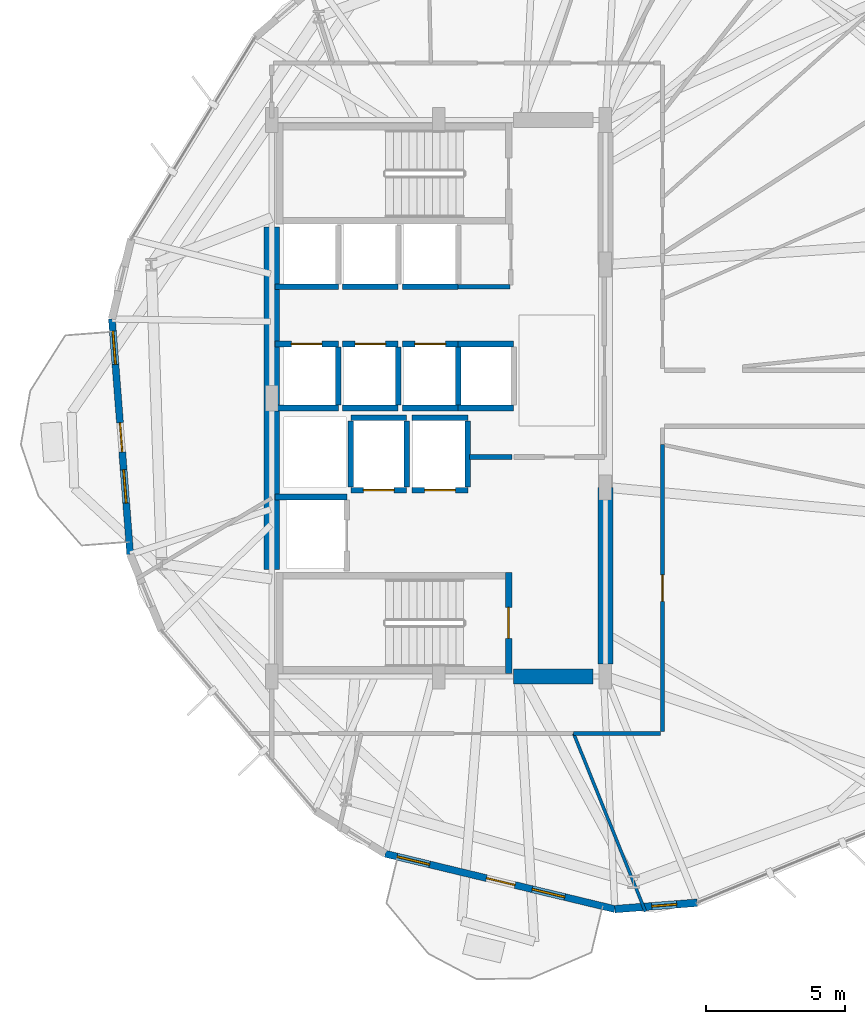
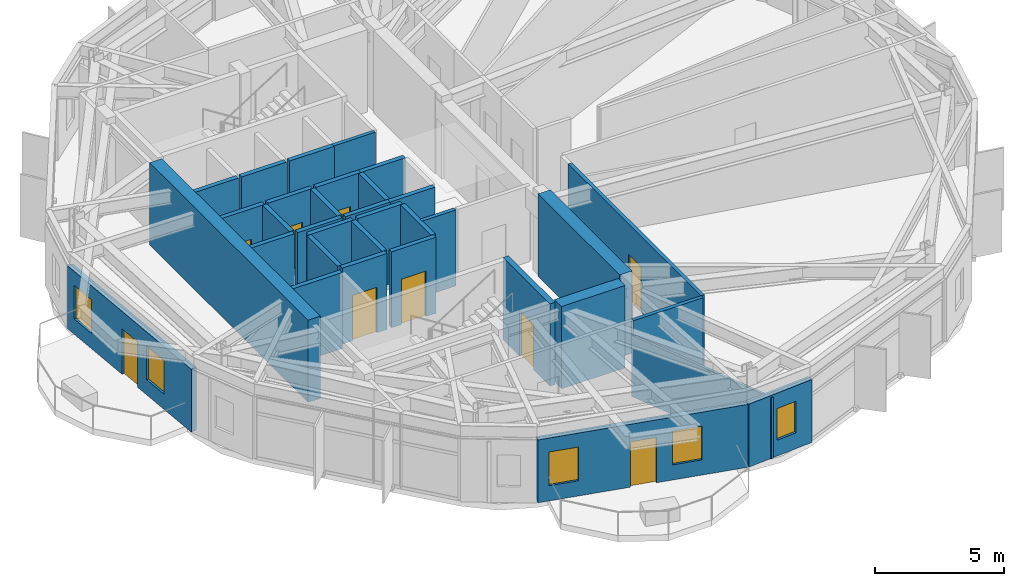
# One storey, part 16 of 21: 34 walls, 9 doors, 5 windows, 14 openings.
"""IFC4 building model written with IfcOpenShell, lengths in metres."""

import ifcopenshell
import ifcopenshell.guid

model = None  # the IFC model being written
_history = None  # IfcOwnerHistory: only IFC2X3 demands one
_inside = {}  # id of a spatial element -> (the spatial element, [elements in it])
_under = {}  # id of a project, library or spatial element -> (it, [spatial elements below it])
_declared = {}  # id of a project -> (the project, [libraries it declares])
_typed = {}  # id of a type object -> (the type object, [elements of that type])
_made_of = {}  # id of a material, layer set ... -> (it, [elements and type objects made of it])


def new_model(schema):
    """Start an empty IFC model of exactly this schema.

    Asked for "IFC4X3", IfcOpenShell would pick the latest addendum, in which some entities
    have other attributes; the version numbers below select the first issue.
    IFC2X3 requires an IfcOwnerHistory on every rooted entity: one is made here for all.
    """
    global model, _history
    if schema == "IFC4X3":
        model = ifcopenshell.file(schema_version=(4, 3, 0, 0))
    else:
        model = ifcopenshell.file(schema=schema)
    _inside.clear()
    _under.clear()
    _declared.clear()
    _typed.clear()
    _made_of.clear()
    _history = None
    if model.schema == "IFC2X3":
        org = make("IfcOrganization", Name="unknown")
        user = make(
            "IfcPersonAndOrganization",
            ThePerson=make("IfcPerson", FamilyName="unknown"),
            TheOrganization=org,
        )
        app = make(
            "IfcApplication",
            ApplicationDeveloper=org,
            Version="unknown",
            ApplicationFullName="unknown",
            ApplicationIdentifier="unknown",
        )
        _history = make(
            "IfcOwnerHistory",
            OwningUser=user,
            OwningApplication=app,
            ChangeAction="ADDED",
            CreationDate=0,
        )
    return model


def make(cls, **values):
    """One entity of the class cls with the attributes given. An attribute that is None is left unset."""
    return model.create_entity(
        cls, **{name: value for name, value in values.items() if value is not None}
    )


def rooted(cls, **values):
    """An entity with a GlobalId (a new one), such as an element, a storey or a relation."""
    return make(cls, GlobalId=ifcopenshell.guid.new(), OwnerHistory=_history, **values)


def si_unit(unit_type, name, prefix=None):
    """IfcSIUnit, for example si_unit("LENGTHUNIT", "METRE", prefix="MILLI")."""
    return make("IfcSIUnit", UnitType=unit_type, Prefix=prefix, Name=name)


def assignment(units):
    """IfcUnitAssignment: the units of a project."""
    return None if units is None else make("IfcUnitAssignment", Units=units)


def point(xyz):
    """IfcCartesianPoint."""
    return None if xyz is None else make("IfcCartesianPoint", Coordinates=xyz)


def direction(xyz):
    """IfcDirection."""
    return None if xyz is None else make("IfcDirection", DirectionRatios=xyz)


def frame(location, z_axis=None, x_axis=None):
    """IfcAxis2Placement3D, a coordinate frame: its origin and axes. An axis left out is left unset."""
    return make(
        "IfcAxis2Placement3D",
        Location=point(location),
        Axis=direction(z_axis),
        RefDirection=direction(x_axis),
    )


def frame_2d(location, x_axis=None):
    """IfcAxis2Placement2D, a coordinate frame in the plane: its origin and x axis."""
    return make(
        "IfcAxis2Placement2D", Location=point(location), RefDirection=direction(x_axis)
    )


def origin():
    """The frame at (0, 0, 0) with its axes left unset."""
    return frame((0.0, 0.0, 0.0))


def place(relative_to, where):
    """IfcLocalPlacement: puts the frame where relative to a parent placement (None: the world)."""
    return make(
        "IfcLocalPlacement", PlacementRelTo=relative_to, RelativePlacement=where
    )


def context(
    kind, dimensions, precision=None, world=None, true_north=None, identifier=None
):
    """IfcGeometricRepresentationContext, for example the 3D "Model" context."""
    return make(
        "IfcGeometricRepresentationContext",
        ContextIdentifier=identifier,
        ContextType=kind,
        CoordinateSpaceDimension=dimensions,
        Precision=precision,
        WorldCoordinateSystem=world,
        TrueNorth=true_north,
    )


def subcontext(parent, identifier, kind, view, scale=None):
    """IfcGeometricRepresentationSubContext, for example "Body" below "Model"."""
    return make(
        "IfcGeometricRepresentationSubContext",
        ContextIdentifier=identifier,
        ContextType=kind,
        ParentContext=parent,
        TargetScale=scale,
        TargetView=view,
    )


def project(units=None, contexts=None):
    """IfcProject with its units and contexts."""
    return rooted(
        "IfcProject",
        Name="project",
        RepresentationContexts=contexts,
        UnitsInContext=assignment(units),
    )


def spatial(cls, under=None, at=None, **own):
    """A site, building, storey or space (cls), placed at a placement, below another one or the project."""
    s = rooted(cls, ObjectPlacement=at, **own)
    if under is not None:
        _under.setdefault(under.id(), (under, []))[1].append(s)
    return s


def profile(cls, at=None, kind="AREA", **sizes):
    """A parametric profile (cls). Its sizes go by their IFC names, for example OverallWidth=200.0."""
    return make(cls, ProfileType=kind, Position=at, **sizes)


def rectangle(**sizes):
    """IfcRectangleProfileDef."""
    return profile("IfcRectangleProfileDef", **sizes)


def extrude(swept, where, along, depth):
    """IfcExtrudedAreaSolid: the profile swept, set in the frame where, extruded along a direction by depth."""
    return make(
        "IfcExtrudedAreaSolid",
        SweptArea=swept,
        Position=where,
        ExtrudedDirection=direction(along),
        Depth=depth,
    )


def shape(context_of_items, identifier, shape_type, items):
    """IfcShapeRepresentation: the items that make up one representation, for example the "Body"."""
    return make(
        "IfcShapeRepresentation",
        ContextOfItems=context_of_items,
        RepresentationIdentifier=identifier,
        RepresentationType=shape_type,
        Items=items,
    )


def material(Name=None, Category=None):
    """IfcMaterial."""
    return make("IfcMaterial", Name=Name, Category=Category)


def layer(
    of_material, thickness, ventilated=None, Name=None, Category=None, Priority=None
):
    """IfcMaterialLayer: one layer of a wall or slab, of a material (None: an air gap)."""
    return make(
        "IfcMaterialLayer",
        Material=of_material,
        LayerThickness=thickness,
        IsVentilated=ventilated,
        Name=Name,
        Category=Category,
        Priority=Priority,
    )


def layer_set(layers, Name=None):
    """IfcMaterialLayerSet."""
    return make("IfcMaterialLayerSet", MaterialLayers=layers, LayerSetName=Name)


def made_of(thing, what):
    """Note that an element or type object is made of a material, layer set ...; save() writes the relation."""
    if what is not None:
        _made_of.setdefault(what.id(), (what, []))[1].append(thing)
    return thing


def type_object(cls, material=None, **own):
    """A type object (cls), such as IfcWallType, which elements share."""
    return made_of(rooted(cls, **own), material)


def element(
    cls,
    number,
    at=None,
    inside=None,
    cuts=None,
    type_object=None,
    material=None,
    context=None,
    identifier="Body",
    shape_type=None,
    held_by="IfcProductDefinitionShape",
    body=None,
    shapes=None,
    **own,
):
    """One element of the class cls, such as IfcWall. Its Tag is "e" and its number.

    at: its placement. inside: the storey or other place that contains it. cuts: it is an
    opening in that element (IfcRelVoidsElement). A single representation is given by context,
    identifier, shape_type and body (its items); several are given by shapes. held_by: the class
    of the entity that holds the representations. save() writes the other relations.
    """
    e = rooted(cls, Tag="e%d" % number, ObjectPlacement=at, **own)
    if body is not None:
        shapes = [shape(context, identifier, shape_type, body)]
    if shapes is not None:
        e.Representation = make(held_by, Representations=shapes)
    if inside is not None:
        _inside.setdefault(inside.id(), (inside, []))[1].append(e)
    if cuts is not None:
        rooted(
            "IfcRelVoidsElement", RelatingBuildingElement=cuts, RelatedOpeningElement=e
        )
    if type_object is not None:
        _typed.setdefault(type_object.id(), (type_object, []))[1].append(e)
    return made_of(e, material)


def fill(opening, filler):
    """IfcRelFillsElement: the door or window that sits in an opening."""
    return rooted(
        "IfcRelFillsElement",
        RelatingOpeningElement=opening,
        RelatedBuildingElement=filler,
    )


def aggregate(whole, parts):
    """IfcRelAggregates: a whole, such as a stair, and the parts it consists of."""
    return rooted("IfcRelAggregates", RelatingObject=whole, RelatedObjects=parts)


def save(model, path):
    """Write the relations noted so far, then the file.

    IfcRelAggregates (storeys below a building ...), IfcRelContainedInSpatialStructure (elements
    in a storey), IfcRelDefinesByType, IfcRelAssociatesMaterial and IfcRelDeclares: one each for
    every whole, place, type object, material and project.
    """
    for whole, parts in _under.values():
        aggregate(whole, parts)
    for where, things in _inside.values():
        rooted(
            "IfcRelContainedInSpatialStructure",
            RelatedElements=things,
            RelatingStructure=where,
        )
    for kind, things in _typed.values():
        rooted("IfcRelDefinesByType", RelatedObjects=things, RelatingType=kind)
    for what, things in _made_of.values():
        rooted("IfcRelAssociatesMaterial", RelatedObjects=things, RelatingMaterial=what)
    for by, libraries in _declared.values():
        rooted("IfcRelDeclares", RelatingContext=by, RelatedDefinitions=libraries)
    model.write(path)


model = new_model("IFC4")

# Units and contexts
model_context = context("Model", 3, precision=1e-05, world=origin(), true_north=direction((0.0, 1.0)))
body_context = subcontext(model_context, "Body", "Model", "MODEL_VIEW")
ifc_project = project(units=[si_unit("LENGTHUNIT", "METRE"), si_unit("AREAUNIT", "SQUARE_METRE"), si_unit("VOLUMEUNIT", "CUBIC_METRE"), si_unit("PLANEANGLEUNIT", "RADIAN"), si_unit("MASSUNIT", "GRAM", prefix="KILO")], contexts=[model_context])

# Site, building, storey
site_placement = place(None, origin())
site = spatial("IfcSite", under=ifc_project, at=site_placement, CompositionType="ELEMENT")
building_placement = place(site_placement, origin())
building = spatial("IfcBuilding", under=site, at=building_placement, Name="Soratama Intermodal Tower", CompositionType="ELEMENT")
storey_placement = place(building_placement, frame((0.0, 0.0, 114.699951171875)))
storey = spatial("IfcBuildingStorey", under=building, at=storey_placement, Name="L27", CompositionType="ELEMENT", Elevation=114.699951171875)

# Wall, openings, door, windows
ifc_material_1 = material(Name="Concrete f'c 42 MPa", Category="concrete")
ifc_layer_1 = layer(ifc_material_1, 0.25)
ifc_layer_set_1 = layer_set([ifc_layer_1], Name="Concrete f'c 42 MPa")
wall_type_1 = type_object("IfcWallType", Name="EW-BAL-250", PredefinedType="SOLIDWALL", material=ifc_layer_set_1)
wall_1_placement = place(storey_placement, frame((26.85888671875, 27.849609375, 0.0), z_axis=(0.0, 0.0, 1.0), x_axis=(0.077404492849, -0.996999771558, 0.0)))
wall_1 = element("IfcWall", 1, at=wall_1_placement, inside=storey, type_object=wall_type_1, Name="L27 Terrace Wall F05", PredefinedType="SOLIDWALL", context=body_context, shape_type="SweptSolid", body=[
    extrude(rectangle(XDim=8.49072265625, YDim=0.25, at=frame_2d((4.245361328125, 0.0))), origin(), (0.0, 0.0, 1.0), 2.97900390625),
])
opening_1_placement = place(wall_1_placement, frame((3.745361328125, 0.0, 0.0)))
opening_1 = element("IfcOpeningElement", 2, at=opening_1_placement, cuts=wall_1, Name="Opening ED-5", PredefinedType="OPENING", context=body_context, shape_type="SweptSolid", body=[
    extrude(rectangle(XDim=1.050048828125, YDim=2.14990234375, at=frame_2d((0.52490234375, 1.074951171875))), frame((0.0, 0.135009765625, 0.0), z_axis=(0.0, -1.0, 0.0), x_axis=(1.0, 0.0, 0.0)), (0.0, 0.0, 1.0), 0.27001953125),
])
opening_2_placement = place(wall_1_placement, frame((0.43994140625, 0.0, 0.719970703125)))
opening_2 = element("IfcOpeningElement", 3, at=opening_2_placement, cuts=wall_1, Name="Opening WN-2", PredefinedType="OPENING", context=body_context, shape_type="SweptSolid", body=[
    extrude(rectangle(XDim=1.199951171875, YDim=1.60009765625, at=frame_2d((0.60009765625, 0.800048828125))), frame((0.0, 0.135009765625, 0.0), z_axis=(0.0, -1.0, 0.0), x_axis=(1.0, 0.0, 0.0)), (0.0, 0.0, 1.0), 0.27001953125),
])
opening_3_placement = place(wall_1_placement, frame((5.435302734375, 0.0, 0.719970703125)))
opening_3 = element("IfcOpeningElement", 4, at=opening_3_placement, cuts=wall_1, Name="Opening WN-2", PredefinedType="OPENING", context=body_context, shape_type="SweptSolid", body=[
    extrude(rectangle(XDim=1.199951171875, YDim=1.60009765625, at=frame_2d((0.60009765625, 0.800048828125))), frame((0.0, 0.135009765625, 0.0), z_axis=(0.0, -1.0, 0.0), x_axis=(1.0, 0.0, 0.0)), (0.0, 0.0, 1.0), 0.27001953125),
])
ifc_material_2 = material(Name="Double-glazed aluminium door", Category="aluminium")
door_type_1 = type_object("IfcDoorType", Name="DR-BAL-1050", OperationType="NOTDEFINED", PredefinedType="DOOR", material=ifc_material_2)
door_1_placement = place(opening_1_placement, origin())
door_1 = element("IfcDoor", 5, at=door_1_placement, inside=storey, type_object=door_type_1, Name="L27 Balcony Door F05", OperationType="SINGLE_SWING_LEFT", OverallHeight=2.14990234375, OverallWidth=1.050048828125, PredefinedType="DOOR", context=body_context, shape_type="SweptSolid", body=[
    extrude(rectangle(XDim=1.050048828125, YDim=2.14990234375, at=frame_2d((0.52490234375, 1.074951171875))), frame((0.0, 0.02490234375, 0.0), z_axis=(0.0, -1.0, 0.0), x_axis=(1.0, 0.0, 0.0)), (0.0, 0.0, 1.0), 0.050048828125),
])
fill(opening_1, door_1)
ifc_material_3 = material(Name="Double-glazed aluminium window", Category="aluminium")
window_type_1 = type_object("IfcWindowType", Name="WN-FAC-1200", PartitioningType="SINGLE_PANEL", PredefinedType="WINDOW", material=ifc_material_3)
window_1_placement = place(opening_2_placement, origin())
window_1 = element("IfcWindow", 6, at=window_1_placement, inside=storey, type_object=window_type_1, Name="L27 Window A F05", OverallHeight=1.60009765625, OverallWidth=1.199951171875, PartitioningType="SINGLE_PANEL", PredefinedType="WINDOW", context=body_context, shape_type="SweptSolid", body=[
    extrude(rectangle(XDim=1.199951171875, YDim=1.60009765625, at=frame_2d((0.60009765625, 0.800048828125))), frame((0.0, 0.030029296875, 0.0), z_axis=(0.0, -1.0, 0.0), x_axis=(1.0, 0.0, 0.0)), (0.0, 0.0, 1.0), 0.06005859375),
])
fill(opening_2, window_1)
window_2_placement = place(opening_3_placement, origin())
window_2 = element("IfcWindow", 7, at=window_2_placement, inside=storey, type_object=window_type_1, Name="L27 Window B F05", OverallHeight=1.60009765625, OverallWidth=1.199951171875, PartitioningType="SINGLE_PANEL", PredefinedType="WINDOW", context=body_context, shape_type="SweptSolid", body=[
    extrude(rectangle(XDim=1.199951171875, YDim=1.60009765625, at=frame_2d((0.60009765625, 0.800048828125))), frame((0.0, 0.030029296875, 0.0), z_axis=(0.0, -1.0, 0.0), x_axis=(1.0, 0.0, 0.0)), (0.0, 0.0, 1.0), 0.06005859375),
])
fill(opening_3, window_2)

wall_2_placement = place(storey_placement, frame((36.68408203125, 8.627197265625, 0.0), z_axis=(0.0, 0.0, 1.0), x_axis=(0.972125162173, -0.234462511014, 0.0)))
wall_2 = element("IfcWall", 8, at=wall_2_placement, inside=storey, type_object=wall_type_1, Name="L27 Terrace Wall F07", PredefinedType="SOLIDWALL", context=body_context, shape_type="SweptSolid", body=[
    extrude(rectangle(XDim=8.490478515625, YDim=0.25, at=frame_2d((4.2451171875, 0.0))), origin(), (0.0, 0.0, 1.0), 2.97900390625),
])
opening_4_placement = place(wall_2_placement, frame((3.745361328125, 0.0, 0.0)))
opening_4 = element("IfcOpeningElement", 9, at=opening_4_placement, cuts=wall_2, Name="Opening ED-5", PredefinedType="OPENING", context=body_context, shape_type="SweptSolid", body=[
    extrude(rectangle(XDim=1.050048828125, YDim=2.14990234375, at=frame_2d((0.52490234375, 1.074951171875))), frame((0.0, 0.135009765625, 0.0), z_axis=(0.0, -1.0, 0.0), x_axis=(1.0, 0.0, 0.0)), (0.0, 0.0, 1.0), 0.27001953125),
])
opening_5_placement = place(wall_2_placement, frame((0.43994140625, 0.0, 0.719970703125)))
opening_5 = element("IfcOpeningElement", 10, at=opening_5_placement, cuts=wall_2, Name="Opening WN-2", PredefinedType="OPENING", context=body_context, shape_type="SweptSolid", body=[
    extrude(rectangle(XDim=1.199951171875, YDim=1.60009765625, at=frame_2d((0.60009765625, 0.800048828125))), frame((0.0, 0.135009765625, 0.0), z_axis=(0.0, -1.0, 0.0), x_axis=(1.0, 0.0, 0.0)), (0.0, 0.0, 1.0), 0.27001953125),
])
opening_6_placement = place(wall_2_placement, frame((5.435302734375, 0.0, 0.719970703125)))
opening_6 = element("IfcOpeningElement", 11, at=opening_6_placement, cuts=wall_2, Name="Opening WN-2", PredefinedType="OPENING", context=body_context, shape_type="SweptSolid", body=[
    extrude(rectangle(XDim=1.199951171875, YDim=1.60009765625, at=frame_2d((0.60009765625, 0.800048828125))), frame((0.0, 0.135009765625, 0.0), z_axis=(0.0, -1.0, 0.0), x_axis=(1.0, 0.0, 0.0)), (0.0, 0.0, 1.0), 0.27001953125),
])
door_2_placement = place(opening_4_placement, origin())
door_2 = element("IfcDoor", 12, at=door_2_placement, inside=storey, type_object=door_type_1, Name="L27 Balcony Door F07", OperationType="SINGLE_SWING_LEFT", OverallHeight=2.14990234375, OverallWidth=1.050048828125, PredefinedType="DOOR", context=body_context, shape_type="SweptSolid", body=[
    extrude(rectangle(XDim=1.050048828125, YDim=2.14990234375, at=frame_2d((0.52490234375, 1.074951171875))), frame((0.0, 0.02490234375, 0.0), z_axis=(0.0, -1.0, 0.0), x_axis=(1.0, 0.0, 0.0)), (0.0, 0.0, 1.0), 0.050048828125),
])
fill(opening_4, door_2)
window_3_placement = place(opening_5_placement, origin())
window_3 = element("IfcWindow", 13, at=window_3_placement, inside=storey, type_object=window_type_1, Name="L27 Window A F07", OverallHeight=1.60009765625, OverallWidth=1.199951171875, PartitioningType="SINGLE_PANEL", PredefinedType="WINDOW", context=body_context, shape_type="SweptSolid", body=[
    extrude(rectangle(XDim=1.199951171875, YDim=1.60009765625, at=frame_2d((0.60009765625, 0.800048828125))), frame((0.0, 0.030029296875, 0.0), z_axis=(0.0, -1.0, 0.0), x_axis=(1.0, 0.0, 0.0)), (0.0, 0.0, 1.0), 0.06005859375),
])
fill(opening_5, window_3)
window_4_placement = place(opening_6_placement, origin())
window_4 = element("IfcWindow", 14, at=window_4_placement, inside=storey, type_object=window_type_1, Name="L27 Window B F07", OverallHeight=1.60009765625, OverallWidth=1.199951171875, PartitioningType="SINGLE_PANEL", PredefinedType="WINDOW", context=body_context, shape_type="SweptSolid", body=[
    extrude(rectangle(XDim=1.199951171875, YDim=1.60009765625, at=frame_2d((0.60009765625, 0.800048828125))), frame((0.0, 0.030029296875, 0.0), z_axis=(0.0, -1.0, 0.0), x_axis=(1.0, 0.0, 0.0)), (0.0, 0.0, 1.0), 0.06005859375),
])
fill(opening_6, window_4)

# Wall, opening, window
ifc_material_4 = material(Name="Concrete f'c 42 MPa", Category="concrete")
ifc_layer_2 = layer(ifc_material_4, 0.27001953125)
ifc_layer_set_2 = layer_set([ifc_layer_2], Name="Concrete f'c 42 MPa")
wall_type_2 = type_object("IfcWallType", Name="EW-CRN-270", PredefinedType="SOLIDWALL", material=ifc_layer_set_2)
wall_3_placement = place(storey_placement, frame((44.93798828125, 6.636474609375, 0.0), z_axis=(0.0, 0.0, 1.0), x_axis=(0.99699708695, 0.077439063873, 0.0)))
wall_3 = element("IfcWall", 15, at=wall_3_placement, inside=storey, type_object=wall_type_2, Name="L27 Corner Closure Wall 07", PredefinedType="SOLIDWALL", context=body_context, shape_type="SweptSolid", body=[
    extrude(rectangle(XDim=2.966552734375, YDim=0.27001953125, at=frame_2d((1.4833984375, 0.0))), origin(), (0.0, 0.0, 1.0), 2.97900390625),
])
opening_7_placement = place(wall_3_placement, frame((1.324951171875, 0.0, 0.75)))
opening_7 = element("IfcOpeningElement", 16, at=opening_7_placement, cuts=wall_3, Name="Opening WN-6", PredefinedType="OPENING", context=body_context, shape_type="SweptSolid", body=[
    extrude(rectangle(XDim=0.89990234375, YDim=1.5, at=frame_2d((0.449951171875, 0.75))), frame((0.0, 0.14501953125, 0.0), z_axis=(0.0, -1.0, 0.0), x_axis=(1.0, 0.0, 0.0)), (0.0, 0.0, 1.0), 0.2900390625),
])
ifc_material_5 = material(Name="Double-glazed aluminium window", Category="aluminium")
window_type_2 = type_object("IfcWindowType", Name="WN-FAC-900", PartitioningType="SINGLE_PANEL", PredefinedType="WINDOW", material=ifc_material_5)
window_5_placement = place(opening_7_placement, origin())
window_5 = element("IfcWindow", 17, at=window_5_placement, inside=storey, type_object=window_type_2, Name="L27 Corner Window 07", OverallHeight=1.5, OverallWidth=0.89990234375, PartitioningType="SINGLE_PANEL", PredefinedType="WINDOW", context=body_context, shape_type="SweptSolid", body=[
    extrude(rectangle(XDim=0.89990234375, YDim=1.5, at=frame_2d((0.449951171875, 0.75))), frame((0.0, 0.030029296875, 0.0), z_axis=(0.0, -1.0, 0.0), x_axis=(1.0, 0.0, 0.0)), (0.0, 0.0, 1.0), 0.06005859375),
])
fill(opening_7, window_5)

# Wall, opening, door
ifc_material_6 = material(Name="Fire-rated gypsum stud partition", Category="concrete")
ifc_layer_3 = layer(ifc_material_6, 0.159912109375)
ifc_layer_set_3 = layer_set([ifc_layer_3], Name="Fire-rated gypsum stud partition")
wall_type_3 = type_object("IfcWallType", Name="IW-PART-R160", PredefinedType="PARTITIONING", material=ifc_layer_set_3)
wall_4_placement = place(storey_placement, frame((46.64990234375, 23.330078125, 0.0), z_axis=(0.0, 0.0, 1.0), x_axis=(0.0, -1.0, 0.0)))
wall_4 = element("IfcWall", 18, at=wall_4_placement, inside=storey, type_object=wall_type_3, Name="L27 Partition W-L27-TP008", PredefinedType="PARTITIONING", context=body_context, shape_type="SweptSolid", body=[
    extrude(rectangle(XDim=10.31005859375, YDim=0.159912109375, at=frame_2d((5.155029296875, 0.0))), origin(), (0.0, 0.0, 1.0), 3.60009765625),
])
opening_8_placement = place(wall_4_placement, frame((4.679931640625, 0.0, 0.0)))
opening_8 = element("IfcOpeningElement", 19, at=opening_8_placement, cuts=wall_4, Name="Opening ID-3", PredefinedType="OPENING", context=body_context, shape_type="SweptSolid", body=[
    extrude(rectangle(XDim=0.949951171875, YDim=2.14990234375, at=frame_2d((0.47509765625, 1.074951171875))), frame((0.0, 0.08984375, 0.0), z_axis=(0.0, -1.0, 0.0), x_axis=(1.0, 0.0, 0.0)), (0.0, 0.0, 1.0), 0.179931640625),
])
ifc_material_7 = material(Name="Solid hardwood acoustic door", Category="wood")
door_type_2 = type_object("IfcDoorType", Name="DR-ROOM-950", OperationType="NOTDEFINED", PredefinedType="DOOR", material=ifc_material_7)
door_3_placement = place(opening_8_placement, origin())
door_3 = element("IfcDoor", 20, at=door_3_placement, inside=storey, type_object=door_type_2, Name="L27 Door D-L27-TP003", OperationType="SINGLE_SWING_RIGHT", OverallHeight=2.14990234375, OverallWidth=0.949951171875, PredefinedType="DOOR", context=body_context, shape_type="SweptSolid", body=[
    extrude(rectangle(XDim=0.949951171875, YDim=2.14990234375, at=frame_2d((0.47509765625, 1.074951171875))), frame((0.0, 0.02490234375, 0.0), z_axis=(0.0, -1.0, 0.0), x_axis=(1.0, 0.0, 0.0)), (0.0, 0.0, 1.0), 0.050048828125),
])
fill(opening_8, door_3)

# Walls
wall_5_placement = place(storey_placement, frame((46.580078125, 12.949951171875, 0.0), z_axis=(0.0, 0.0, 1.0), x_axis=(-1.0, 0.0, 0.0)))
element("IfcWall", 21, at=wall_5_placement, inside=storey, type_object=wall_type_3, Name="L27 Partition W-L27-TP022", PredefinedType="PARTITIONING", context=body_context, shape_type="SweptSolid", body=[
    extrude(rectangle(XDim=3.125, YDim=0.159912109375, at=frame_2d((1.5625, 0.0))), origin(), (0.0, 0.0, 1.0), 3.60009765625),
])
wall_6_placement = place(storey_placement, frame((39.300048828125, 29.010009765625, 0.0), z_axis=(0.0, 0.0, 1.0), x_axis=(1.0, 0.0, 0.0)))
element("IfcWall", 22, at=wall_6_placement, inside=storey, type_object=wall_type_3, Name="L27 Partition W-L27-TP032", PredefinedType="PARTITIONING", context=body_context, shape_type="SweptSolid", body=[
    extrude(rectangle(XDim=1.85986328125, YDim=0.159912109375, at=frame_2d((0.929931640625, 0.0))), origin(), (0.0, 0.0, 1.0), 3.60009765625),
])
ifc_material_8 = material(Name="Fire-rated gypsum stud partition", Category="concrete")
ifc_layer_4 = layer(ifc_material_8, 0.169921875)
ifc_layer_set_4 = layer_set([ifc_layer_4], Name="Fire-rated gypsum stud partition")
wall_type_4 = type_object("IfcWallType", Name="IW-PART-R170", PredefinedType="PARTITIONING", material=ifc_layer_set_4)
wall_7_placement = place(storey_placement, frame((39.719970703125, 22.889892578125, 0.0), z_axis=(0.0, 0.0, 1.0), x_axis=(1.0, 0.0, 0.0)))
element("IfcWall", 23, at=wall_7_placement, inside=storey, type_object=wall_type_4, Name="L27 Partition W-L27-TP035", PredefinedType="PARTITIONING", context=body_context, shape_type="SweptSolid", body=[
    extrude(rectangle(XDim=1.52001953125, YDim=0.169921875, at=frame_2d((0.760009765625, 0.0))), origin(), (0.0, 0.0, 1.0), 3.60009765625),
])
ifc_material_9 = material(Name="Fire-rated gypsum stud partition", Category="concrete")
ifc_layer_5 = layer(ifc_material_9, 0.110107421875)
ifc_layer_set_5 = layer_set([ifc_layer_5], Name="Fire-rated gypsum stud partition")
wall_type_5 = type_object("IfcWallType", Name="IW-PART-S110", PredefinedType="PARTITIONING", material=ifc_layer_set_5)
wall_8_placement = place(storey_placement, frame((43.455078125, 12.949951171875, 0.0), z_axis=(0.0, 0.0, 1.0), x_axis=(0.373823057067, -0.927500038817, 0.0)))
element("IfcWall", 24, at=wall_8_placement, inside=storey, type_object=wall_type_5, Name="L27 Partition W-L27-TP012", PredefinedType="PARTITIONING", context=body_context, shape_type="SweptSolid", body=[
    extrude(rectangle(XDim=6.901123046875, YDim=0.110107421875, at=frame_2d((3.45068359375, 0.0))), origin(), (0.0, 0.0, 1.0), 2.89501953125),
])

# Wall, opening, door
ifc_material_10 = material(Name="Concrete f'c 42 MPa", Category="concrete")
ifc_layer_6 = layer(ifc_material_10, 0.199951171875)
ifc_layer_set_6 = layer_set([ifc_layer_6], Name="Concrete f'c 42 MPa")
wall_type_6 = type_object("IfcWallType", Name="IW-SHAFT-200", PredefinedType="SOLIDWALL", material=ifc_layer_set_6)
wall_9_placement = place(storey_placement, frame((35.449951171875, 21.699951171875, 0.0), z_axis=(0.0, 0.0, 1.0), x_axis=(1.0, 0.0, 0.0)))
wall_9 = element("IfcWall", 25, at=wall_9_placement, inside=storey, type_object=wall_type_6, Name="L27 FFL-1 Hoistway Wall S", PredefinedType="SOLIDWALL", context=body_context, shape_type="SweptSolid", body=[
    extrude(rectangle(XDim=2.0, YDim=0.199951171875, at=frame_2d((1.0, 0.0))), origin(), (0.0, 0.0, 1.0), 3.60009765625),
])
opening_9_placement = place(wall_9_placement, frame((0.449951171875, 0.0, 0.0)))
opening_9 = element("IfcOpeningElement", 26, at=opening_9_placement, cuts=wall_9, Name="Opening LD-1", PredefinedType="OPENING", context=body_context, shape_type="SweptSolid", body=[
    extrude(rectangle(XDim=1.10009765625, YDim=2.14990234375, at=frame_2d((0.550048828125, 1.074951171875))), frame((0.0, 0.10986328125, 0.0), z_axis=(0.0, -1.0, 0.0), x_axis=(1.0, 0.0, 0.0)), (0.0, 0.0, 1.0), 0.219970703125),
])
ifc_material_11 = material(Name="Steel fire door", Category="steel")
door_type_3 = type_object("IfcDoorType", Name="DR-LIFT-SLIDE", OperationType="NOTDEFINED", PredefinedType="DOOR", material=ifc_material_11)
door_4_placement = place(opening_9_placement, origin())
door_4 = element("IfcDoor", 27, at=door_4_placement, inside=storey, type_object=door_type_3, Name="L27 FFL-1 Sliding Landing Door", OperationType="SLIDING_TO_LEFT", OverallHeight=2.14990234375, OverallWidth=1.10009765625, PredefinedType="DOOR", context=body_context, shape_type="SweptSolid", body=[
    extrude(rectangle(XDim=1.10009765625, YDim=2.14990234375, at=frame_2d((0.550048828125, 1.074951171875))), frame((0.0, 0.02490234375, 0.0), z_axis=(0.0, -1.0, 0.0), x_axis=(1.0, 0.0, 0.0)), (0.0, 0.0, 1.0), 0.050048828125),
])
fill(opening_9, door_4)

# Walls
wall_10_placement = place(storey_placement, frame((35.449951171875, 24.300048828125, 0.0), z_axis=(0.0, 0.0, 1.0), x_axis=(1.0, 0.0, 0.0)))
element("IfcWall", 28, at=wall_10_placement, inside=storey, type_object=wall_type_6, Name="L27 FFL-1 Hoistway Wall N", PredefinedType="SOLIDWALL", context=body_context, shape_type="SweptSolid", body=[
    extrude(rectangle(XDim=2.0, YDim=0.199951171875, at=frame_2d((1.0, 0.0))), origin(), (0.0, 0.0, 1.0), 3.60009765625),
])
for number, where, z_axis, x_axis, name in (
    (29, (35.449951171875, 21.81005859375, 0.0), (0.0, 0.0, 1.0), (0.0, 1.0, 0.0), "L27 FFL-1 Hoistway Wall W"),
    (30, (37.449951171875, 21.81005859375, 0.0), (0.0, 0.0, 1.0), (0.0, 1.0, 0.0), "L27 FFL-1 Hoistway Wall E"),
):
    element("IfcWall", number, at=place(storey_placement, frame(where, z_axis=z_axis, x_axis=x_axis)), inside=storey, type_object=wall_type_6, Name=name, PredefinedType="SOLIDWALL", context=body_context, shape_type="SweptSolid", body=[
        extrude(rectangle(XDim=2.3798828125, YDim=0.199951171875, at=frame_2d((1.18994140625, 0.0))), origin(), (0.0, 0.0, 1.0), 3.60009765625),
    ])

# Wall, opening, door
wall_11_placement = place(storey_placement, frame((37.64990234375, 21.699951171875, 0.0), z_axis=(0.0, 0.0, 1.0), x_axis=(1.0, 0.0, 0.0)))
wall_11 = element("IfcWall", 31, at=wall_11_placement, inside=storey, type_object=wall_type_6, Name="L27 FFL-2 Hoistway Wall S", PredefinedType="SOLIDWALL", context=body_context, shape_type="SweptSolid", body=[
    extrude(rectangle(XDim=2.0, YDim=0.199951171875, at=frame_2d((1.0, 0.0))), origin(), (0.0, 0.0, 1.0), 3.60009765625),
])
opening_10_placement = place(wall_11_placement, frame((0.449951171875, 0.0, 0.0)))
opening_10 = element("IfcOpeningElement", 32, at=opening_10_placement, cuts=wall_11, Name="Opening LD-1", PredefinedType="OPENING", context=body_context, shape_type="SweptSolid", body=[
    extrude(rectangle(XDim=1.10009765625, YDim=2.14990234375, at=frame_2d((0.550048828125, 1.074951171875))), frame((0.0, 0.10986328125, 0.0), z_axis=(0.0, -1.0, 0.0), x_axis=(1.0, 0.0, 0.0)), (0.0, 0.0, 1.0), 0.219970703125),
])
door_5_placement = place(opening_10_placement, origin())
door_5 = element("IfcDoor", 33, at=door_5_placement, inside=storey, type_object=door_type_3, Name="L27 FFL-2 Sliding Landing Door", OperationType="SLIDING_TO_LEFT", OverallHeight=2.14990234375, OverallWidth=1.10009765625, PredefinedType="DOOR", context=body_context, shape_type="SweptSolid", body=[
    extrude(rectangle(XDim=1.10009765625, YDim=2.14990234375, at=frame_2d((0.550048828125, 1.074951171875))), frame((0.0, 0.02490234375, 0.0), z_axis=(0.0, -1.0, 0.0), x_axis=(1.0, 0.0, 0.0)), (0.0, 0.0, 1.0), 0.050048828125),
])
fill(opening_10, door_5)

# Walls
wall_12_placement = place(storey_placement, frame((37.64990234375, 24.300048828125, 0.0), z_axis=(0.0, 0.0, 1.0), x_axis=(1.0, 0.0, 0.0)))
element("IfcWall", 34, at=wall_12_placement, inside=storey, type_object=wall_type_6, Name="L27 FFL-2 Hoistway Wall N", PredefinedType="SOLIDWALL", context=body_context, shape_type="SweptSolid", body=[
    extrude(rectangle(XDim=2.0, YDim=0.199951171875, at=frame_2d((1.0, 0.0))), origin(), (0.0, 0.0, 1.0), 3.60009765625),
])
wall_13_placement = place(storey_placement, frame((39.64990234375, 21.81005859375, 0.0), z_axis=(0.0, 0.0, 1.0), x_axis=(0.0, 1.0, 0.0)))
element("IfcWall", 35, at=wall_13_placement, inside=storey, type_object=wall_type_6, Name="L27 FFL-2 Hoistway Wall E", PredefinedType="SOLIDWALL", context=body_context, shape_type="SweptSolid", body=[
    extrude(rectangle(XDim=2.3798828125, YDim=0.199951171875, at=frame_2d((1.18994140625, 0.0))), origin(), (0.0, 0.0, 1.0), 3.60009765625),
])
wall_14_placement = place(storey_placement, frame((32.719970703125, 21.449951171875, 0.0), z_axis=(0.0, 0.0, 1.0), x_axis=(1.0, 0.0, 0.0)))
element("IfcWall", 36, at=wall_14_placement, inside=storey, type_object=wall_type_6, Name="L27 SVL-1 Hoistway Wall N", PredefinedType="SOLIDWALL", context=body_context, shape_type="SweptSolid", body=[
    extrude(rectangle(XDim=2.580078125, YDim=0.199951171875, at=frame_2d((1.2900390625, 0.0))), origin(), (0.0, 0.0, 1.0), 3.60009765625),
])
wall_15_placement = place(storey_placement, frame((32.719970703125, 24.64990234375, 0.0), z_axis=(0.0, 0.0, 1.0), x_axis=(1.0, 0.0, 0.0)))
element("IfcWall", 37, at=wall_15_placement, inside=storey, type_object=wall_type_6, Name="L27 PL-L1 Hoistway Wall S", PredefinedType="SOLIDWALL", context=body_context, shape_type="SweptSolid", body=[
    extrude(rectangle(XDim=2.280029296875, YDim=0.199951171875, at=frame_2d((1.14013671875, 0.0))), origin(), (0.0, 0.0, 1.0), 3.60009765625),
])

# Wall, opening, door
wall_16_placement = place(storey_placement, frame((32.719970703125, 26.949951171875, 0.0), z_axis=(0.0, 0.0, 1.0), x_axis=(1.0, 0.0, 0.0)))
wall_16 = element("IfcWall", 38, at=wall_16_placement, inside=storey, type_object=wall_type_6, Name="L27 PL-L1 Hoistway Wall N", PredefinedType="SOLIDWALL", context=body_context, shape_type="SweptSolid", body=[
    extrude(rectangle(XDim=2.280029296875, YDim=0.199951171875, at=frame_2d((1.14013671875, 0.0))), origin(), (0.0, 0.0, 1.0), 3.60009765625),
])
opening_11_placement = place(wall_16_placement, frame((0.590087890625, 0.0, 0.0)))
opening_11 = element("IfcOpeningElement", 39, at=opening_11_placement, cuts=wall_16, Name="Opening LD-1", PredefinedType="OPENING", context=body_context, shape_type="SweptSolid", body=[
    extrude(rectangle(XDim=1.10009765625, YDim=2.14990234375, at=frame_2d((0.550048828125, 1.074951171875))), frame((0.0, 0.10986328125, 0.0), z_axis=(0.0, -1.0, 0.0), x_axis=(1.0, 0.0, 0.0)), (0.0, 0.0, 1.0), 0.219970703125),
])
door_6_placement = place(opening_11_placement, origin())
door_6 = element("IfcDoor", 40, at=door_6_placement, inside=storey, type_object=door_type_3, Name="L27 PL-L1 Sliding Landing Door", OperationType="SLIDING_TO_LEFT", OverallHeight=2.14990234375, OverallWidth=1.10009765625, PredefinedType="DOOR", context=body_context, shape_type="SweptSolid", body=[
    extrude(rectangle(XDim=1.10009765625, YDim=2.14990234375, at=frame_2d((0.550048828125, 1.074951171875))), frame((0.0, 0.02490234375, 0.0), z_axis=(0.0, -1.0, 0.0), x_axis=(1.0, 0.0, 0.0)), (0.0, 0.0, 1.0), 0.050048828125),
])
fill(opening_11, door_6)

# Walls
wall_17_placement = place(storey_placement, frame((35.0, 24.760009765625, 0.0), z_axis=(0.0, 0.0, 1.0), x_axis=(0.0, 1.0, 0.0)))
element("IfcWall", 41, at=wall_17_placement, inside=storey, type_object=wall_type_6, Name="L27 PL-L1 Hoistway Wall E", PredefinedType="SOLIDWALL", context=body_context, shape_type="SweptSolid", body=[
    extrude(rectangle(XDim=2.080078125, YDim=0.199951171875, at=frame_2d((1.0400390625, 0.0))), origin(), (0.0, 0.0, 1.0), 3.60009765625),
])
wall_18_placement = place(storey_placement, frame((35.14990234375, 24.64990234375, 0.0), z_axis=(0.0, 0.0, 1.0), x_axis=(1.0, 0.0, 0.0)))
element("IfcWall", 42, at=wall_18_placement, inside=storey, type_object=wall_type_6, Name="L27 PL-L2 Hoistway Wall S", PredefinedType="SOLIDWALL", context=body_context, shape_type="SweptSolid", body=[
    extrude(rectangle(XDim=2.0, YDim=0.199951171875, at=frame_2d((1.0, 0.0))), origin(), (0.0, 0.0, 1.0), 3.60009765625),
])

# Wall, opening, door
wall_19_placement = place(storey_placement, frame((35.14990234375, 26.949951171875, 0.0), z_axis=(0.0, 0.0, 1.0), x_axis=(1.0, 0.0, 0.0)))
wall_19 = element("IfcWall", 43, at=wall_19_placement, inside=storey, type_object=wall_type_6, Name="L27 PL-L2 Hoistway Wall N", PredefinedType="SOLIDWALL", context=body_context, shape_type="SweptSolid", body=[
    extrude(rectangle(XDim=2.0, YDim=0.199951171875, at=frame_2d((1.0, 0.0))), origin(), (0.0, 0.0, 1.0), 3.60009765625),
])
opening_12_placement = place(wall_19_placement, frame((0.449951171875, 0.0, 0.0)))
opening_12 = element("IfcOpeningElement", 44, at=opening_12_placement, cuts=wall_19, Name="Opening LD-1", PredefinedType="OPENING", context=body_context, shape_type="SweptSolid", body=[
    extrude(rectangle(XDim=1.10009765625, YDim=2.14990234375, at=frame_2d((0.550048828125, 1.074951171875))), frame((0.0, 0.10986328125, 0.0), z_axis=(0.0, -1.0, 0.0), x_axis=(1.0, 0.0, 0.0)), (0.0, 0.0, 1.0), 0.219970703125),
])
door_7_placement = place(opening_12_placement, origin())
door_7 = element("IfcDoor", 45, at=door_7_placement, inside=storey, type_object=door_type_3, Name="L27 PL-L2 Sliding Landing Door", OperationType="SLIDING_TO_LEFT", OverallHeight=2.14990234375, OverallWidth=1.10009765625, PredefinedType="DOOR", context=body_context, shape_type="SweptSolid", body=[
    extrude(rectangle(XDim=1.10009765625, YDim=2.14990234375, at=frame_2d((0.550048828125, 1.074951171875))), frame((0.0, 0.02490234375, 0.0), z_axis=(0.0, -1.0, 0.0), x_axis=(1.0, 0.0, 0.0)), (0.0, 0.0, 1.0), 0.050048828125),
])
fill(opening_12, door_7)

# Walls
wall_20_placement = place(storey_placement, frame((37.14990234375, 24.760009765625, 0.0), z_axis=(0.0, 0.0, 1.0), x_axis=(0.0, 1.0, 0.0)))
element("IfcWall", 46, at=wall_20_placement, inside=storey, type_object=wall_type_6, Name="L27 PL-L2 Hoistway Wall E", PredefinedType="SOLIDWALL", context=body_context, shape_type="SweptSolid", body=[
    extrude(rectangle(XDim=2.080078125, YDim=0.199951171875, at=frame_2d((1.0400390625, 0.0))), origin(), (0.0, 0.0, 1.0), 3.60009765625),
])
wall_21_placement = place(storey_placement, frame((37.300048828125, 24.64990234375, 0.0), z_axis=(0.0, 0.0, 1.0), x_axis=(1.0, 0.0, 0.0)))
element("IfcWall", 47, at=wall_21_placement, inside=storey, type_object=wall_type_6, Name="L27 PL-L3 Hoistway Wall S", PredefinedType="SOLIDWALL", context=body_context, shape_type="SweptSolid", body=[
    extrude(rectangle(XDim=2.0, YDim=0.199951171875, at=frame_2d((1.0, 0.0))), origin(), (0.0, 0.0, 1.0), 3.60009765625),
])

# Wall, opening, door
wall_22_placement = place(storey_placement, frame((37.300048828125, 26.949951171875, 0.0), z_axis=(0.0, 0.0, 1.0), x_axis=(1.0, 0.0, 0.0)))
wall_22 = element("IfcWall", 48, at=wall_22_placement, inside=storey, type_object=wall_type_6, Name="L27 PL-L3 Hoistway Wall N", PredefinedType="SOLIDWALL", context=body_context, shape_type="SweptSolid", body=[
    extrude(rectangle(XDim=2.0, YDim=0.199951171875, at=frame_2d((1.0, 0.0))), origin(), (0.0, 0.0, 1.0), 3.60009765625),
])
opening_13_placement = place(wall_22_placement, frame((0.449951171875, 0.0, 0.0)))
opening_13 = element("IfcOpeningElement", 49, at=opening_13_placement, cuts=wall_22, Name="Opening LD-1", PredefinedType="OPENING", context=body_context, shape_type="SweptSolid", body=[
    extrude(rectangle(XDim=1.10009765625, YDim=2.14990234375, at=frame_2d((0.550048828125, 1.074951171875))), frame((0.0, 0.10986328125, 0.0), z_axis=(0.0, -1.0, 0.0), x_axis=(1.0, 0.0, 0.0)), (0.0, 0.0, 1.0), 0.219970703125),
])
door_8_placement = place(opening_13_placement, origin())
door_8 = element("IfcDoor", 50, at=door_8_placement, inside=storey, type_object=door_type_3, Name="L27 PL-L3 Sliding Landing Door", OperationType="SLIDING_TO_LEFT", OverallHeight=2.14990234375, OverallWidth=1.10009765625, PredefinedType="DOOR", context=body_context, shape_type="SweptSolid", body=[
    extrude(rectangle(XDim=1.10009765625, YDim=2.14990234375, at=frame_2d((0.550048828125, 1.074951171875))), frame((0.0, 0.02490234375, 0.0), z_axis=(0.0, -1.0, 0.0), x_axis=(1.0, 0.0, 0.0)), (0.0, 0.0, 1.0), 0.050048828125),
])
fill(opening_13, door_8)

# Walls
wall_23_placement = place(storey_placement, frame((39.300048828125, 24.760009765625, 0.0), z_axis=(0.0, 0.0, 1.0), x_axis=(0.0, 1.0, 0.0)))
element("IfcWall", 51, at=wall_23_placement, inside=storey, type_object=wall_type_6, Name="L27 PL-L3 Hoistway Wall E", PredefinedType="SOLIDWALL", context=body_context, shape_type="SweptSolid", body=[
    extrude(rectangle(XDim=2.080078125, YDim=0.199951171875, at=frame_2d((1.0400390625, 0.0))), origin(), (0.0, 0.0, 1.0), 3.60009765625),
])
for number, where, z_axis, x_axis, name in (
    (52, (39.300048828125, 24.64990234375, 0.0), (0.0, 0.0, 1.0), (1.0, 0.0, 0.0), "L27 PL-M1 Hoistway Wall S"),
    (53, (39.300048828125, 26.949951171875, 0.0), (0.0, 0.0, 1.0), (1.0, 0.0, 0.0), "L27 PL-M1 Hoistway Wall N"),
):
    element("IfcWall", number, at=place(storey_placement, frame(where, z_axis=z_axis, x_axis=x_axis)), inside=storey, type_object=wall_type_6, Name=name, PredefinedType="SOLIDWALL", context=body_context, shape_type="SweptSolid", body=[
        extrude(rectangle(XDim=2.0, YDim=0.199951171875, at=frame_2d((1.0, 0.0))), origin(), (0.0, 0.0, 1.0), 3.60009765625),
    ])
wall_24_placement = place(storey_placement, frame((32.719970703125, 29.0, 0.0), z_axis=(0.0, 0.0, 1.0), x_axis=(1.0, 0.0, 0.0)))
element("IfcWall", 54, at=wall_24_placement, inside=storey, type_object=wall_type_6, Name="L27 PL-M2 Hoistway Wall S", PredefinedType="SOLIDWALL", context=body_context, shape_type="SweptSolid", body=[
    extrude(rectangle(XDim=2.280029296875, YDim=0.199951171875, at=frame_2d((1.14013671875, 0.0))), origin(), (0.0, 0.0, 1.0), 3.60009765625),
])
for number, where, z_axis, x_axis, name in (
    (55, (35.14990234375, 29.0, 0.0), (0.0, 0.0, 1.0), (1.0, 0.0, 0.0), "L27 PL-H1 Hoistway Wall S"),
    (56, (37.300048828125, 29.0, 0.0), (0.0, 0.0, 1.0), (1.0, 0.0, 0.0), "L27 PL-H2 Hoistway Wall S"),
):
    element("IfcWall", number, at=place(storey_placement, frame(where, z_axis=z_axis, x_axis=x_axis)), inside=storey, type_object=wall_type_6, Name=name, PredefinedType="SOLIDWALL", context=body_context, shape_type="SweptSolid", body=[
        extrude(rectangle(XDim=2.0, YDim=0.199951171875, at=frame_2d((1.0, 0.0))), origin(), (0.0, 0.0, 1.0), 3.60009765625),
    ])
ifc_material_12 = material(Name="Concrete f'c 56 MPa", Category="concrete")
ifc_layer_7 = layer(ifc_material_12, 0.550048828125)
ifc_layer_set_7 = layer_set([ifc_layer_7], Name="Concrete f'c 56 MPa")
wall_type_7 = type_object("IfcWallType", Name="SW-CORE-550", PredefinedType="SHEAR", material=ifc_layer_set_7)
wall_25_placement = place(storey_placement, frame((32.60009765625, 18.85009765625, 0.0), z_axis=(0.0, 0.0, 1.0), x_axis=(0.0, 1.0, 0.0)))
element("IfcWall", 57, at=wall_25_placement, inside=storey, type_object=wall_type_7, Name="L27 Core Shear Wall CW-WMID", PredefinedType="SHEAR", context=body_context, shape_type="SweptSolid", body=[
    extrude(rectangle(XDim=12.2998046875, YDim=0.550048828125, at=frame_2d((6.14990234375, 0.0))), origin(), (0.0, 0.0, 1.0), 3.900146484375),
])
wall_26_placement = place(storey_placement, frame((41.300048828125, 15.0, 0.0), z_axis=(0.0, 0.0, 1.0), x_axis=(1.0, 0.0, 0.0)))
element("IfcWall", 58, at=wall_26_placement, inside=storey, type_object=wall_type_7, Name="L27 Core Shear Wall CW-SE", PredefinedType="SHEAR", context=body_context, shape_type="SweptSolid", body=[
    extrude(rectangle(XDim=2.849853515625, YDim=0.550048828125, at=frame_2d((1.4248046875, 0.0))), origin(), (0.0, 0.0, 1.0), 3.900146484375),
])
wall_27_placement = place(storey_placement, frame((44.60009765625, 15.449951171875, 0.0), z_axis=(0.0, 0.0, 1.0), x_axis=(0.0, 1.0, 0.0)))
element("IfcWall", 59, at=wall_27_placement, inside=storey, type_object=wall_type_7, Name="L27 Core Shear Wall CW-ES", PredefinedType="SHEAR", context=body_context, shape_type="SweptSolid", body=[
    extrude(rectangle(XDim=6.35009765625, YDim=0.550048828125, at=frame_2d((3.175048828125, 0.0))), origin(), (0.0, 0.0, 1.0), 3.900146484375),
])

# Wall, opening, door
ifc_material_13 = material(Name="Concrete f'c 56 MPa", Category="concrete")
ifc_layer_8 = layer(ifc_material_13, 0.239990234375)
ifc_layer_set_8 = layer_set([ifc_layer_8], Name="Concrete f'c 56 MPa")
wall_type_8 = type_object("IfcWallType", Name="SW-STAIR-240", PredefinedType="SHEAR", material=ifc_layer_set_8)
wall_28_placement = place(storey_placement, frame((41.1201171875, 15.110107421875, 0.0), z_axis=(0.0, 0.0, 1.0), x_axis=(0.0, 1.0, 0.0)))
wall_28 = element("IfcWall", 60, at=wall_28_placement, inside=storey, type_object=wall_type_8, Name="L27 ST-1 Shaft Shear Wall E", PredefinedType="SHEAR", context=body_context, shape_type="SweptSolid", body=[
    extrude(rectangle(XDim=3.6298828125, YDim=0.239990234375, at=frame_2d((1.81494140625, 0.0))), origin(), (0.0, 0.0, 1.0), 3.900146484375),
])
opening_14_placement = place(wall_28_placement, frame((1.2548828125, 0.0, 0.0)))
opening_14 = element("IfcOpeningElement", 61, at=opening_14_placement, cuts=wall_28, Name="Opening SD-1", PredefinedType="OPENING", context=body_context, shape_type="SweptSolid", body=[
    extrude(rectangle(XDim=1.1201171875, YDim=2.14990234375, at=frame_2d((0.56005859375, 1.074951171875))), frame((0.0, 0.1298828125, 0.0), z_axis=(0.0, -1.0, 0.0), x_axis=(1.0, 0.0, 0.0)), (0.0, 0.0, 1.0), 0.260009765625),
])
ifc_material_14 = material(Name="Steel fire door", Category="steel")
door_type_4 = type_object("IfcDoorType", Name="DR-STAIR-FD90", OperationType="NOTDEFINED", PredefinedType="DOOR", material=ifc_material_14)
door_9_placement = place(opening_14_placement, origin())
door_9 = element("IfcDoor", 62, at=door_9_placement, inside=storey, type_object=door_type_4, Name="L27 ST-1 Exit Stair Door", OperationType="SINGLE_SWING_LEFT", OverallHeight=2.14990234375, OverallWidth=1.1201171875, PredefinedType="DOOR", context=body_context, shape_type="SweptSolid", body=[
    extrude(rectangle(XDim=1.1201171875, YDim=2.14990234375, at=frame_2d((0.56005859375, 1.074951171875))), frame((0.0, 0.02490234375, 0.0), z_axis=(0.0, -1.0, 0.0), x_axis=(1.0, 0.0, 0.0)), (0.0, 0.0, 1.0), 0.050048828125),
])
fill(opening_14, door_9)

save(model, "model.ifc")
